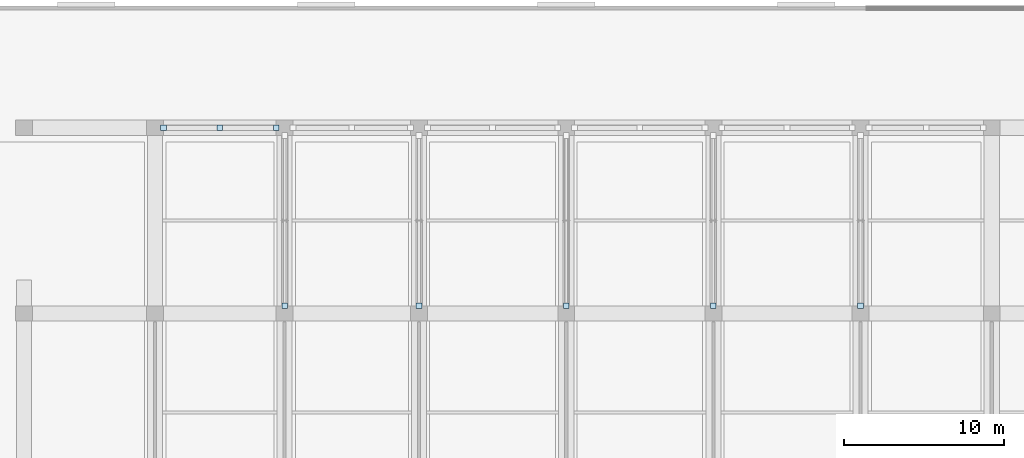
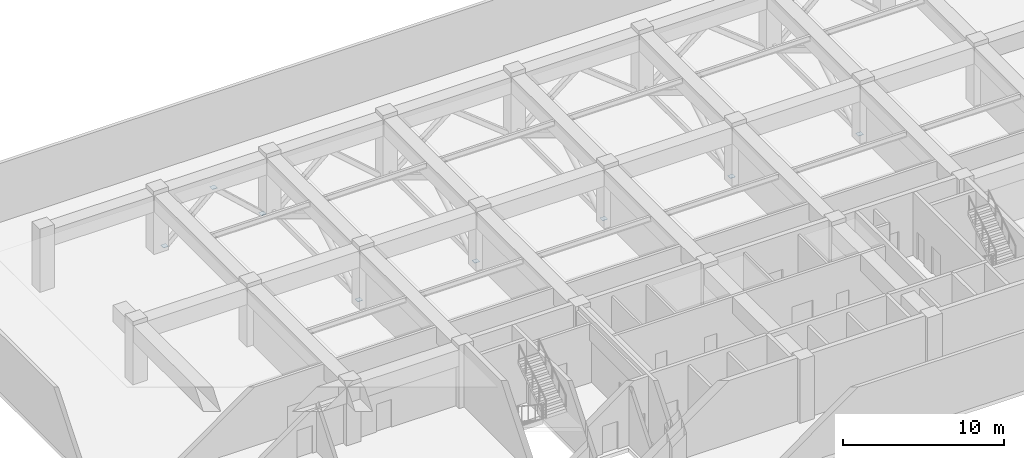
# One storey, part 5 of 21: 8 plates.
"""IFC4 building model written with IfcOpenShell, lengths in metres."""

import ifcopenshell
import ifcopenshell.guid

model = None  # the IFC model being written
_history = None  # IfcOwnerHistory: only IFC2X3 demands one
_inside = {}  # id of a spatial element -> (the spatial element, [elements in it])
_under = {}  # id of a project, library or spatial element -> (it, [spatial elements below it])
_declared = {}  # id of a project -> (the project, [libraries it declares])
_typed = {}  # id of a type object -> (the type object, [elements of that type])
_made_of = {}  # id of a material, layer set ... -> (it, [elements and type objects made of it])


def new_model(schema):
    """Start an empty IFC model of exactly this schema.

    Asked for "IFC4X3", IfcOpenShell would pick the latest addendum, in which some entities
    have other attributes; the version numbers below select the first issue.
    IFC2X3 requires an IfcOwnerHistory on every rooted entity: one is made here for all.
    """
    global model, _history
    if schema == "IFC4X3":
        model = ifcopenshell.file(schema_version=(4, 3, 0, 0))
    else:
        model = ifcopenshell.file(schema=schema)
    _inside.clear()
    _under.clear()
    _declared.clear()
    _typed.clear()
    _made_of.clear()
    _history = None
    if model.schema == "IFC2X3":
        org = make("IfcOrganization", Name="unknown")
        user = make(
            "IfcPersonAndOrganization",
            ThePerson=make("IfcPerson", FamilyName="unknown"),
            TheOrganization=org,
        )
        app = make(
            "IfcApplication",
            ApplicationDeveloper=org,
            Version="unknown",
            ApplicationFullName="unknown",
            ApplicationIdentifier="unknown",
        )
        _history = make(
            "IfcOwnerHistory",
            OwningUser=user,
            OwningApplication=app,
            ChangeAction="ADDED",
            CreationDate=0,
        )
    return model


def make(cls, **values):
    """One entity of the class cls with the attributes given. An attribute that is None is left unset."""
    return model.create_entity(
        cls, **{name: value for name, value in values.items() if value is not None}
    )


def rooted(cls, **values):
    """An entity with a GlobalId (a new one), such as an element, a storey or a relation."""
    return make(cls, GlobalId=ifcopenshell.guid.new(), OwnerHistory=_history, **values)


def si_unit(unit_type, name, prefix=None):
    """IfcSIUnit, for example si_unit("LENGTHUNIT", "METRE", prefix="MILLI")."""
    return make("IfcSIUnit", UnitType=unit_type, Prefix=prefix, Name=name)


def assignment(units):
    """IfcUnitAssignment: the units of a project."""
    return None if units is None else make("IfcUnitAssignment", Units=units)


def point(xyz):
    """IfcCartesianPoint."""
    return None if xyz is None else make("IfcCartesianPoint", Coordinates=xyz)


def direction(xyz):
    """IfcDirection."""
    return None if xyz is None else make("IfcDirection", DirectionRatios=xyz)


def frame(location, z_axis=None, x_axis=None):
    """IfcAxis2Placement3D, a coordinate frame: its origin and axes. An axis left out is left unset."""
    return make(
        "IfcAxis2Placement3D",
        Location=point(location),
        Axis=direction(z_axis),
        RefDirection=direction(x_axis),
    )


def frame_2d(location, x_axis=None):
    """IfcAxis2Placement2D, a coordinate frame in the plane: its origin and x axis."""
    return make(
        "IfcAxis2Placement2D", Location=point(location), RefDirection=direction(x_axis)
    )


def origin():
    """The frame at (0, 0, 0) with its axes left unset."""
    return frame((0.0, 0.0, 0.0))


def origin_2d():
    """The frame at (0, 0) in the plane with its x axis left unset."""
    return frame_2d((0.0, 0.0))


def place(relative_to, where):
    """IfcLocalPlacement: puts the frame where relative to a parent placement (None: the world)."""
    return make(
        "IfcLocalPlacement", PlacementRelTo=relative_to, RelativePlacement=where
    )


def context(
    kind, dimensions, precision=None, world=None, true_north=None, identifier=None
):
    """IfcGeometricRepresentationContext, for example the 3D "Model" context."""
    return make(
        "IfcGeometricRepresentationContext",
        ContextIdentifier=identifier,
        ContextType=kind,
        CoordinateSpaceDimension=dimensions,
        Precision=precision,
        WorldCoordinateSystem=world,
        TrueNorth=true_north,
    )


def subcontext(parent, identifier, kind, view, scale=None):
    """IfcGeometricRepresentationSubContext, for example "Body" below "Model"."""
    return make(
        "IfcGeometricRepresentationSubContext",
        ContextIdentifier=identifier,
        ContextType=kind,
        ParentContext=parent,
        TargetScale=scale,
        TargetView=view,
    )


def project(units=None, contexts=None):
    """IfcProject with its units and contexts."""
    return rooted(
        "IfcProject",
        Name="project",
        RepresentationContexts=contexts,
        UnitsInContext=assignment(units),
    )


def spatial(cls, under=None, at=None, **own):
    """A site, building, storey or space (cls), placed at a placement, below another one or the project."""
    s = rooted(cls, ObjectPlacement=at, **own)
    if under is not None:
        _under.setdefault(under.id(), (under, []))[1].append(s)
    return s


def profile(cls, at=None, kind="AREA", **sizes):
    """A parametric profile (cls). Its sizes go by their IFC names, for example OverallWidth=200.0."""
    return make(cls, ProfileType=kind, Position=at, **sizes)


def rectangle(**sizes):
    """IfcRectangleProfileDef."""
    return profile("IfcRectangleProfileDef", **sizes)


def extrude(swept, where, along, depth):
    """IfcExtrudedAreaSolid: the profile swept, set in the frame where, extruded along a direction by depth."""
    return make(
        "IfcExtrudedAreaSolid",
        SweptArea=swept,
        Position=where,
        ExtrudedDirection=direction(along),
        Depth=depth,
    )


def shape(context_of_items, identifier, shape_type, items):
    """IfcShapeRepresentation: the items that make up one representation, for example the "Body"."""
    return make(
        "IfcShapeRepresentation",
        ContextOfItems=context_of_items,
        RepresentationIdentifier=identifier,
        RepresentationType=shape_type,
        Items=items,
    )


def material(Name=None, Category=None):
    """IfcMaterial."""
    return make("IfcMaterial", Name=Name, Category=Category)


def layer(
    of_material, thickness, ventilated=None, Name=None, Category=None, Priority=None
):
    """IfcMaterialLayer: one layer of a wall or slab, of a material (None: an air gap)."""
    return make(
        "IfcMaterialLayer",
        Material=of_material,
        LayerThickness=thickness,
        IsVentilated=ventilated,
        Name=Name,
        Category=Category,
        Priority=Priority,
    )


def layer_set(layers, Name=None):
    """IfcMaterialLayerSet."""
    return make("IfcMaterialLayerSet", MaterialLayers=layers, LayerSetName=Name)


def made_of(thing, what):
    """Note that an element or type object is made of a material, layer set ...; save() writes the relation."""
    if what is not None:
        _made_of.setdefault(what.id(), (what, []))[1].append(thing)
    return thing


def type_object(cls, material=None, **own):
    """A type object (cls), such as IfcWallType, which elements share."""
    return made_of(rooted(cls, **own), material)


def element(
    cls,
    number,
    at=None,
    inside=None,
    cuts=None,
    type_object=None,
    material=None,
    context=None,
    identifier="Body",
    shape_type=None,
    held_by="IfcProductDefinitionShape",
    body=None,
    shapes=None,
    **own,
):
    """One element of the class cls, such as IfcWall. Its Tag is "e" and its number.

    at: its placement. inside: the storey or other place that contains it. cuts: it is an
    opening in that element (IfcRelVoidsElement). A single representation is given by context,
    identifier, shape_type and body (its items); several are given by shapes. held_by: the class
    of the entity that holds the representations. save() writes the other relations.
    """
    e = rooted(cls, Tag="e%d" % number, ObjectPlacement=at, **own)
    if body is not None:
        shapes = [shape(context, identifier, shape_type, body)]
    if shapes is not None:
        e.Representation = make(held_by, Representations=shapes)
    if inside is not None:
        _inside.setdefault(inside.id(), (inside, []))[1].append(e)
    if cuts is not None:
        rooted(
            "IfcRelVoidsElement", RelatingBuildingElement=cuts, RelatedOpeningElement=e
        )
    if type_object is not None:
        _typed.setdefault(type_object.id(), (type_object, []))[1].append(e)
    return made_of(e, material)


def aggregate(whole, parts):
    """IfcRelAggregates: a whole, such as a stair, and the parts it consists of."""
    return rooted("IfcRelAggregates", RelatingObject=whole, RelatedObjects=parts)


def save(model, path):
    """Write the relations noted so far, then the file.

    IfcRelAggregates (storeys below a building ...), IfcRelContainedInSpatialStructure (elements
    in a storey), IfcRelDefinesByType, IfcRelAssociatesMaterial and IfcRelDeclares: one each for
    every whole, place, type object, material and project.
    """
    for whole, parts in _under.values():
        aggregate(whole, parts)
    for where, things in _inside.values():
        rooted(
            "IfcRelContainedInSpatialStructure",
            RelatedElements=things,
            RelatingStructure=where,
        )
    for kind, things in _typed.values():
        rooted("IfcRelDefinesByType", RelatedObjects=things, RelatingType=kind)
    for what, things in _made_of.values():
        rooted("IfcRelAssociatesMaterial", RelatedObjects=things, RelatingMaterial=what)
    for by, libraries in _declared.values():
        rooted("IfcRelDeclares", RelatingContext=by, RelatedDefinitions=libraries)
    model.write(path)


model = new_model("IFC4")

# Units and contexts
model_context = context("Model", 3, precision=1e-05, world=origin(), true_north=direction((0.0, 1.0)))
body_context = subcontext(model_context, "Body", "Model", "MODEL_VIEW")
ifc_project = project(units=[si_unit("LENGTHUNIT", "METRE"), si_unit("AREAUNIT", "SQUARE_METRE"), si_unit("VOLUMEUNIT", "CUBIC_METRE"), si_unit("PLANEANGLEUNIT", "RADIAN"), si_unit("MASSUNIT", "GRAM", prefix="KILO")], contexts=[model_context])

# Site, building, storey
site_placement = place(None, origin())
site = spatial("IfcSite", under=ifc_project, at=site_placement, CompositionType="ELEMENT")
building_placement = place(site_placement, origin())
building = spatial("IfcBuilding", under=site, at=building_placement, Name="Korimba Cascade Residences", CompositionType="ELEMENT")
storey_placement = place(building_placement, frame((0.0, 0.0, 76.0)))
storey = spatial("IfcBuildingStorey", under=building, at=storey_placement, Name="L21", CompositionType="ELEMENT", Elevation=76.0)

# Plates
ifc_material = material(Name="Steel S460", Category="steel")
ifc_layer = layer(ifc_material, 0.028076171875)
ifc_layer_set = layer_set([ifc_layer], Name="Steel S460")
plate_type = type_object("IfcPlateType", Name="PLT-ENDCAP-28", PredefinedType="USERDEFINED", material=ifc_layer_set)
for number, where, z_axis, x_axis, name in (
    (1, (76.10009765625, 80.074951171875, 0.005859375), (0.0, 0.0, 1.0), (1.0, 0.0, 0.0), "L21 Brace Welded End Connection Plate 22"),
    (2, (84.5, 80.074951171875, 0.005859375), (0.0, 0.0, 1.0), (1.0, 0.0, 0.0), "L21 Brace Welded End Connection Plate 24"),
    (3, (93.699951171875, 80.074951171875, 0.005859375), (0.0, 0.0, 1.0), (1.0, 0.0, 0.0), "L21 Brace Welded End Connection Plate 26"),
    (4, (102.89990234375, 80.074951171875, 0.005859375), (0.0, 0.0, 1.0), (1.0, 0.0, 0.0), "L21 Brace Welded End Connection Plate 28"),
    (5, (112.10009765625, 80.074951171875, 0.005859375), (0.0, 0.0, 1.0), (1.0, 0.0, 0.0), "L21 Brace Welded End Connection Plate 30"),
    (6, (68.52490234375, 91.199951171875, 0.005859375), (0.0, 0.0, 1.0), (1.0, 0.0, 0.0), "L21 Brace Welded End Connection Plate 32"),
    (7, (72.050048828125, 91.199951171875, 3.2158203125), (0.0, 0.0, 1.0), (1.0, 0.0, 0.0), "L21 Brace Welded End Connection Plate 33"),
    (8, (75.574951171875, 91.199951171875, 0.005859375), (0.0, 0.0, 1.0), (1.0, 0.0, 0.0), "L21 Brace Welded End Connection Plate 34"),
):
    element("IfcPlate", number, at=place(storey_placement, frame(where, z_axis=z_axis, x_axis=x_axis)), inside=storey, type_object=plate_type, Name=name, ObjectType="CAP PLATE", PredefinedType="USERDEFINED", context=body_context, shape_type="SweptSolid", body=[
        extrude(rectangle(XDim=0.360107421875, YDim=0.360107421875, at=origin_2d()), origin(), (0.0, 0.0, 1.0), 0.028076171875),
    ])

save(model, "model.ifc")
